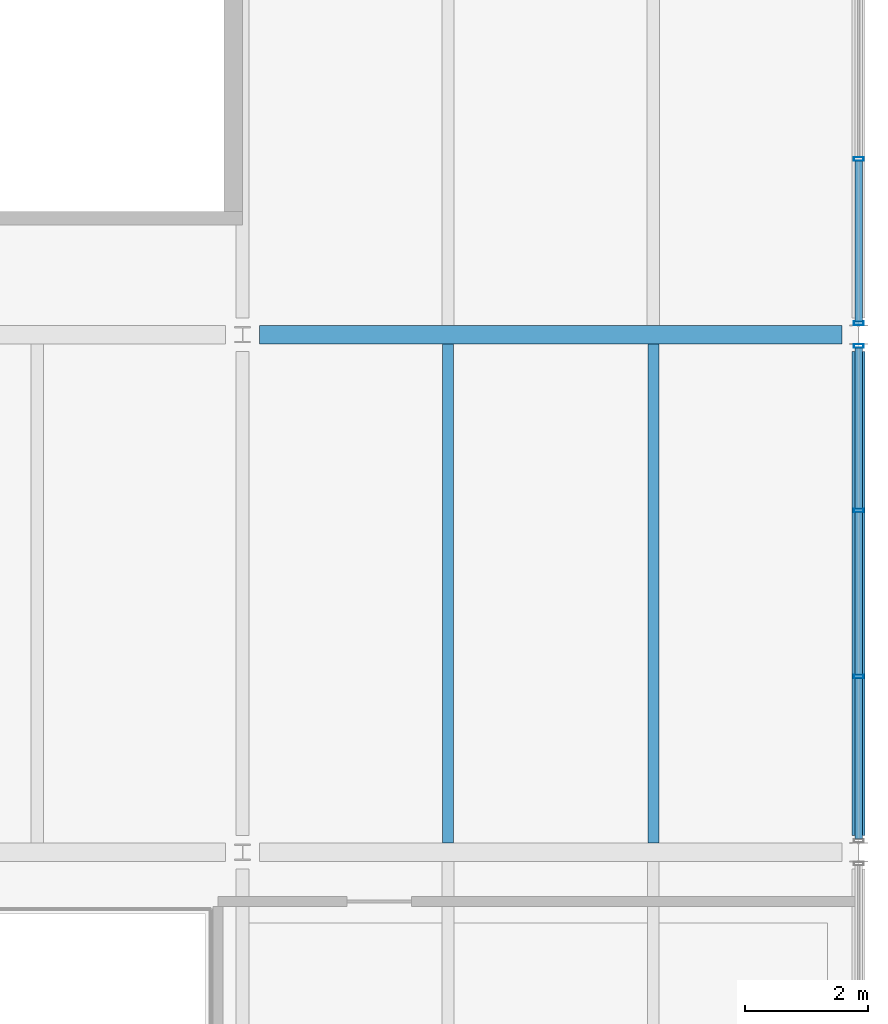
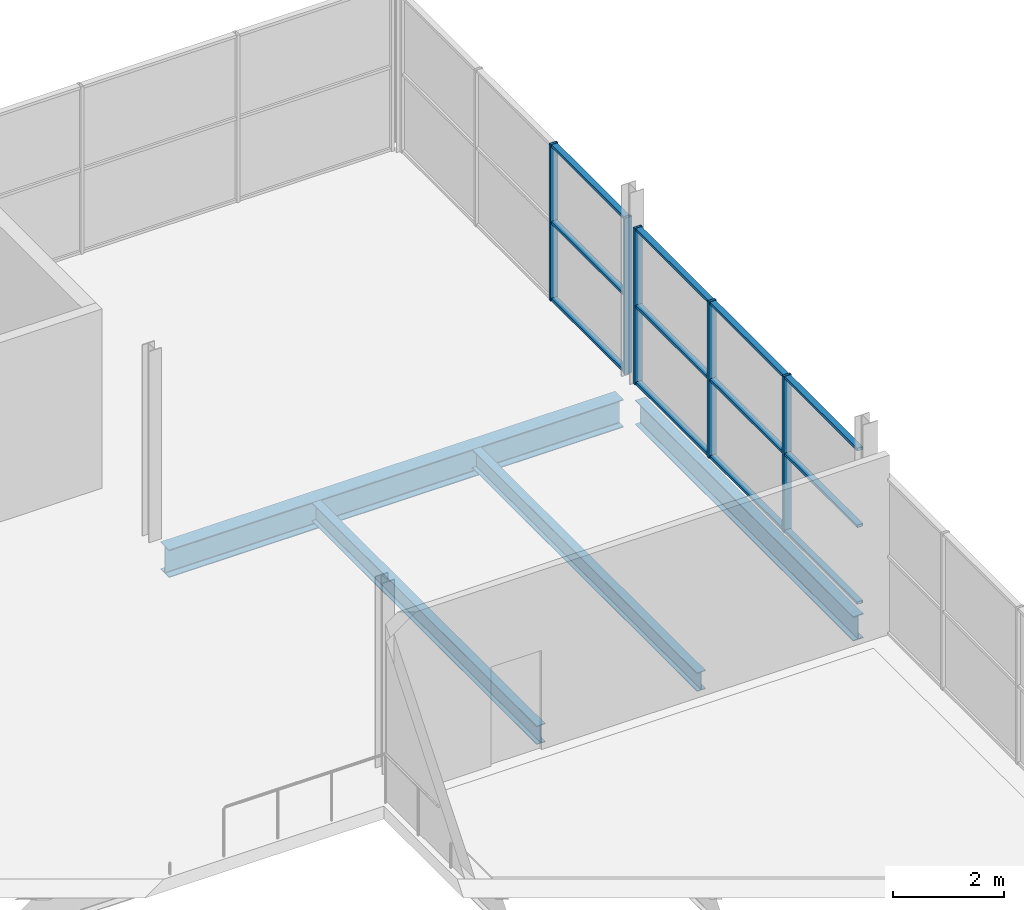
# One storey, part 120 of 161: 17 members, 4 beams, 2 elements without a shape of their own.
"""IFC4 building model written with IfcOpenShell, lengths in metres."""

from ifc_helpers import new_model, si_unit, direction, frame, origin, origin_2d, place, context, subcontext, project, spatial, hollow_rectangle, i_section, extrude, material, material_profile, profile_set, type_object, element, aggregate, save


model = new_model("IFC4")

# Units and contexts
model_context = context("Model", 3, precision=1e-05, world=origin(), true_north=direction((0.0, 1.0)))
body_context = subcontext(model_context, "Body", "Model", "MODEL_VIEW")
ifc_project = project(units=[si_unit("LENGTHUNIT", "METRE"), si_unit("AREAUNIT", "SQUARE_METRE"), si_unit("VOLUMEUNIT", "CUBIC_METRE"), si_unit("PLANEANGLEUNIT", "RADIAN"), si_unit("MASSUNIT", "GRAM", prefix="KILO"), si_unit("THERMODYNAMICTEMPERATUREUNIT", "KELVIN")], contexts=[model_context])

# Site, building, storey
site_placement = place(None, origin())
site = spatial("IfcSite", under=ifc_project, at=site_placement, CompositionType="ELEMENT")
building_placement = place(site_placement, origin())
building = spatial("IfcBuilding", under=site, at=building_placement, Name="Nduvali Passage Aquatics Centre", CompositionType="ELEMENT")
storey_placement = place(building_placement, frame((0.0, 0.0, 4.800048828125)))
storey = spatial("IfcBuildingStorey", under=building, at=storey_placement, Name="L01", CompositionType="ELEMENT", Elevation=4.800048828125)

# Curtain wall, members
ifc_material_1 = material(Name="Aluminium EN AW-6063 T6", Category="aluminium")
curtain_wall_type = type_object("IfcCurtainWallType", Name="ENV-CW-FOYR", PredefinedType="NOTDEFINED", material=ifc_material_1)
curtain_wall_1_placement = place(storey_placement, origin())
curtain_wall_1 = element("IfcCurtainWall", 1, at=curtain_wall_1_placement, inside=storey, type_object=curtain_wall_type, Name="L01 East Avenue Entrance Upper CW 090", PredefinedType="NOTDEFINED")
ifc_material_profile_1 = material_profile(ifc_material_1, hollow_rectangle(XDim=0.06005859375, YDim=0.159912109375, WallThickness=0.00390625, at=origin_2d()), Name="ALU MULLION 60x160x4")
ifc_profile_set_1 = profile_set([ifc_material_profile_1], Name="Aluminium EN AW-6063 T6")
member_type_1 = type_object("IfcMemberType", Name="ENV-MEM-MUL60", PredefinedType="MULLION", material=ifc_profile_set_1)
member_1_placement = place(storey_placement, frame((168.0, 78.45166015625, 0.0), z_axis=(0.0, 0.0, 1.0), x_axis=(0.0, 1.0, 0.0)))
member_1 = element("IfcMember", 2, at=member_1_placement, type_object=member_type_1, Name="East Avenue Entrance Upper CW Mullion 2", PredefinedType="MULLION", context=body_context, shape_type="SweptSolid", body=[
    extrude(hollow_rectangle(XDim=0.06005859375, YDim=0.159912109375, WallThickness=0.00390625, at=origin_2d()), origin(), (0.0, 0.0, 1.0), 3.436279296875),
])
member_2_placement = place(storey_placement, frame((168.0, 81.148193359375, 0.0), z_axis=(0.0, 0.0, 1.0), x_axis=(0.0, 1.0, 0.0)))
member_2 = element("IfcMember", 3, at=member_2_placement, type_object=member_type_1, Name="East Avenue Entrance Upper CW Mullion 3", PredefinedType="MULLION", context=body_context, shape_type="SweptSolid", body=[
    extrude(hollow_rectangle(XDim=0.06005859375, YDim=0.159912109375, WallThickness=0.00390625, at=origin_2d()), origin(), (0.0, 0.0, 1.0), 3.436279296875),
])
member_3_placement = place(storey_placement, frame((168.0, 83.81494140625, 0.0), z_axis=(0.0, 0.0, 1.0), x_axis=(0.0, 1.0, 0.0)))
member_3 = element("IfcMember", 4, at=member_3_placement, type_object=member_type_1, Name="East Avenue Entrance Upper CW Mullion 4", PredefinedType="MULLION", context=body_context, shape_type="SweptSolid", body=[
    extrude(hollow_rectangle(XDim=0.06005859375, YDim=0.159912109375, WallThickness=0.00390625, at=origin_2d()), origin(), (0.0, 0.0, 1.0), 3.436279296875),
])

curtain_wall_2_placement = place(storey_placement, origin())
curtain_wall_2 = element("IfcCurtainWall", 5, at=curtain_wall_2_placement, inside=storey, type_object=curtain_wall_type, Name="L01 East Avenue Entrance End Upper CW 091", PredefinedType="NOTDEFINED")
member_4_placement = place(storey_placement, frame((168.0, 84.18505859375, 0.0), z_axis=(0.0, 0.0, 1.0), x_axis=(0.0, 1.0, 0.0)))
member_4 = element("IfcMember", 6, at=member_4_placement, type_object=member_type_1, Name="East Avenue Entrance End Upper CW Mullion 1", PredefinedType="MULLION", context=body_context, shape_type="SweptSolid", body=[
    extrude(hollow_rectangle(XDim=0.06005859375, YDim=0.159912109375, WallThickness=0.00390625, at=origin_2d()), origin(), (0.0, 0.0, 1.0), 3.436279296875),
])
member_5_placement = place(storey_placement, frame((168.0, 86.851806640625, 0.0), z_axis=(0.0, 0.0, 1.0), x_axis=(0.0, 1.0, 0.0)))
member_5 = element("IfcMember", 7, at=member_5_placement, type_object=member_type_1, Name="East Avenue Entrance End Upper CW Mullion 2", PredefinedType="MULLION", context=body_context, shape_type="SweptSolid", body=[
    extrude(hollow_rectangle(XDim=0.06005859375, YDim=0.159912109375, WallThickness=0.00390625, at=origin_2d()), origin(), (0.0, 0.0, 1.0), 3.436279296875),
])

# Member
ifc_material_profile_2 = material_profile(ifc_material_1, hollow_rectangle(XDim=0.1201171875, YDim=0.06005859375, WallThickness=0.00390625, at=origin_2d()), Name="ALU TRANSOM 120x60x4")
ifc_profile_set_2 = profile_set([ifc_material_profile_2], Name="Aluminium EN AW-6063 T6")
member_type_2 = type_object("IfcMemberType", Name="ENV-MEM-TRN60", PredefinedType="USERDEFINED", material=ifc_profile_set_2)
member_6_placement = place(storey_placement, frame((168.0, 75.81494140625, 0.030029296875), z_axis=(0.0, 1.0, 0.0), x_axis=(-1.0, 0.0, 0.0)))
member_6 = element("IfcMember", 8, at=member_6_placement, type_object=member_type_2, Name="East Avenue Entrance Upper CW Transom B1-R0", ObjectType="TRANSOM", PredefinedType="USERDEFINED", context=body_context, shape_type="SweptSolid", body=[
    extrude(hollow_rectangle(XDim=0.1201171875, YDim=0.06005859375, WallThickness=0.00390625, at=origin_2d()), origin(), (0.0, 0.0, 1.0), 2.606689453125),
])

member_7_placement = place(storey_placement, frame((168.0, 75.81494140625, 1.71826171875), z_axis=(0.0, 1.0, 0.0), x_axis=(-1.0, 0.0, 0.0)))
member_7 = element("IfcMember", 9, at=member_7_placement, type_object=member_type_2, Name="East Avenue Entrance Upper CW Transom B1-R1", ObjectType="TRANSOM", PredefinedType="USERDEFINED", context=body_context, shape_type="SweptSolid", body=[
    extrude(hollow_rectangle(XDim=0.1201171875, YDim=0.06005859375, WallThickness=0.00390625, at=origin_2d()), origin(), (0.0, 0.0, 1.0), 2.606689453125),
])

member_8_placement = place(storey_placement, frame((168.0, 75.81494140625, 3.40625), z_axis=(0.0, 1.0, 0.0), x_axis=(-1.0, 0.0, 0.0)))
member_8 = element("IfcMember", 10, at=member_8_placement, type_object=member_type_2, Name="East Avenue Entrance Upper CW Transom B1-R2", ObjectType="TRANSOM", PredefinedType="USERDEFINED", context=body_context, shape_type="SweptSolid", body=[
    extrude(hollow_rectangle(XDim=0.1201171875, YDim=0.06005859375, WallThickness=0.00390625, at=origin_2d()), origin(), (0.0, 0.0, 1.0), 2.606689453125),
])

member_9_placement = place(storey_placement, frame((168.0, 78.481689453125, 0.030029296875), z_axis=(0.0, 1.0, 0.0), x_axis=(-1.0, 0.0, 0.0)))
member_9 = element("IfcMember", 11, at=member_9_placement, type_object=member_type_2, Name="East Avenue Entrance Upper CW Transom B2-R0", ObjectType="TRANSOM", PredefinedType="USERDEFINED", context=body_context, shape_type="SweptSolid", body=[
    extrude(hollow_rectangle(XDim=0.1201171875, YDim=0.06005859375, WallThickness=0.00390625, at=origin_2d()), origin(), (0.0, 0.0, 1.0), 2.63671875),
])

member_10_placement = place(storey_placement, frame((168.0, 78.481689453125, 1.71826171875), z_axis=(0.0, 1.0, 0.0), x_axis=(-1.0, 0.0, 0.0)))
member_10 = element("IfcMember", 12, at=member_10_placement, type_object=member_type_2, Name="East Avenue Entrance Upper CW Transom B2-R1", ObjectType="TRANSOM", PredefinedType="USERDEFINED", context=body_context, shape_type="SweptSolid", body=[
    extrude(hollow_rectangle(XDim=0.1201171875, YDim=0.06005859375, WallThickness=0.00390625, at=origin_2d()), origin(), (0.0, 0.0, 1.0), 2.63671875),
])

member_11_placement = place(storey_placement, frame((168.0, 78.481689453125, 3.40625), z_axis=(0.0, 1.0, 0.0), x_axis=(-1.0, 0.0, 0.0)))
member_11 = element("IfcMember", 13, at=member_11_placement, type_object=member_type_2, Name="East Avenue Entrance Upper CW Transom B2-R2", ObjectType="TRANSOM", PredefinedType="USERDEFINED", context=body_context, shape_type="SweptSolid", body=[
    extrude(hollow_rectangle(XDim=0.1201171875, YDim=0.06005859375, WallThickness=0.00390625, at=origin_2d()), origin(), (0.0, 0.0, 1.0), 2.63671875),
])

member_12_placement = place(storey_placement, frame((168.0, 81.17822265625, 0.030029296875), z_axis=(0.0, 1.0, 0.0), x_axis=(-1.0, 0.0, 0.0)))
member_12 = element("IfcMember", 14, at=member_12_placement, type_object=member_type_2, Name="East Avenue Entrance Upper CW Transom B3-R0", ObjectType="TRANSOM", PredefinedType="USERDEFINED", context=body_context, shape_type="SweptSolid", body=[
    extrude(hollow_rectangle(XDim=0.1201171875, YDim=0.06005859375, WallThickness=0.00390625, at=origin_2d()), origin(), (0.0, 0.0, 1.0), 2.606689453125),
])

member_13_placement = place(storey_placement, frame((168.0, 81.17822265625, 1.71826171875), z_axis=(0.0, 1.0, 0.0), x_axis=(-1.0, 0.0, 0.0)))
member_13 = element("IfcMember", 15, at=member_13_placement, type_object=member_type_2, Name="East Avenue Entrance Upper CW Transom B3-R1", ObjectType="TRANSOM", PredefinedType="USERDEFINED", context=body_context, shape_type="SweptSolid", body=[
    extrude(hollow_rectangle(XDim=0.1201171875, YDim=0.06005859375, WallThickness=0.00390625, at=origin_2d()), origin(), (0.0, 0.0, 1.0), 2.606689453125),
])

member_14_placement = place(storey_placement, frame((168.0, 81.17822265625, 3.40625), z_axis=(0.0, 1.0, 0.0), x_axis=(-1.0, 0.0, 0.0)))
member_14 = element("IfcMember", 16, at=member_14_placement, type_object=member_type_2, Name="East Avenue Entrance Upper CW Transom B3-R2", ObjectType="TRANSOM", PredefinedType="USERDEFINED", context=body_context, shape_type="SweptSolid", body=[
    extrude(hollow_rectangle(XDim=0.1201171875, YDim=0.06005859375, WallThickness=0.00390625, at=origin_2d()), origin(), (0.0, 0.0, 1.0), 2.606689453125),
])

aggregate(curtain_wall_1, [member_1, member_2, member_3, member_6, member_7, member_8, member_9, member_10, member_11, member_12, member_13, member_14])

member_15_placement = place(storey_placement, frame((168.0, 84.215087890625, 0.030029296875), z_axis=(0.0, 1.0, 0.0), x_axis=(-1.0, 0.0, 0.0)))
member_15 = element("IfcMember", 17, at=member_15_placement, type_object=member_type_2, Name="East Avenue Entrance End Upper CW Transom B1-R0", ObjectType="TRANSOM", PredefinedType="USERDEFINED", context=body_context, shape_type="SweptSolid", body=[
    extrude(hollow_rectangle(XDim=0.1201171875, YDim=0.06005859375, WallThickness=0.00390625, at=origin_2d()), origin(), (0.0, 0.0, 1.0), 2.606689453125),
])

member_16_placement = place(storey_placement, frame((168.0, 84.215087890625, 1.71826171875), z_axis=(0.0, 1.0, 0.0), x_axis=(-1.0, 0.0, 0.0)))
member_16 = element("IfcMember", 18, at=member_16_placement, type_object=member_type_2, Name="East Avenue Entrance End Upper CW Transom B1-R1", ObjectType="TRANSOM", PredefinedType="USERDEFINED", context=body_context, shape_type="SweptSolid", body=[
    extrude(hollow_rectangle(XDim=0.1201171875, YDim=0.06005859375, WallThickness=0.00390625, at=origin_2d()), origin(), (0.0, 0.0, 1.0), 2.606689453125),
])

member_17_placement = place(storey_placement, frame((168.0, 84.215087890625, 3.40625), z_axis=(0.0, 1.0, 0.0), x_axis=(-1.0, 0.0, 0.0)))
member_17 = element("IfcMember", 19, at=member_17_placement, type_object=member_type_2, Name="East Avenue Entrance End Upper CW Transom B1-R2", ObjectType="TRANSOM", PredefinedType="USERDEFINED", context=body_context, shape_type="SweptSolid", body=[
    extrude(hollow_rectangle(XDim=0.1201171875, YDim=0.06005859375, WallThickness=0.00390625, at=origin_2d()), origin(), (0.0, 0.0, 1.0), 2.606689453125),
])

aggregate(curtain_wall_2, [member_4, member_5, member_15, member_16, member_17])

# Beams
ifc_material_2 = material(Name="Steel S355", Category="steel")
ifc_material_profile_3 = material_profile(ifc_material_2, i_section(OverallWidth=0.210693359375, OverallDepth=0.53955078125, WebThickness=0.01171875, FlangeThickness=0.018798828125, FilletRadius=0.0126953125, at=origin_2d()), Name="UKB 533x210x109")
ifc_profile_set_3 = profile_set([ifc_material_profile_3], Name="Steel S355")
beam_type_1 = type_object("IfcBeamType", Name="STR-BM-UKB533-EXT", PredefinedType="BEAM", material=ifc_profile_set_3)
beam_1_placement = place(storey_placement, frame((168.0, 75.875, -0.553955078125), z_axis=(0.0, 1.0, 0.0), x_axis=(-1.0, 0.0, 0.0)))
element("IfcBeam", 20, at=beam_1_placement, inside=storey, type_object=beam_type_1, Name="L01 Primary Y-Girder B6E-0688", PredefinedType="BEAM", context=body_context, shape_type="SweptSolid", body=[
    extrude(i_section(OverallWidth=0.210693359375, OverallDepth=0.53955078125, WebThickness=0.01171875, FlangeThickness=0.018798828125, FilletRadius=0.0126953125, at=origin_2d()), origin(), (0.0, 0.0, 1.0), 7.85009765625),
])
ifc_material_profile_4 = material_profile(ifc_material_2, i_section(OverallWidth=0.3046875, OverallDepth=0.6123046875, WebThickness=0.01171875, FlangeThickness=0.019775390625, FilletRadius=0.0166015625, at=origin_2d()), Name="UKB 610x305x149")
ifc_profile_set_4 = profile_set([ifc_material_profile_4], Name="Steel S355")
beam_type_2 = type_object("IfcBeamType", Name="STR-BM-UKB610W", PredefinedType="BEAM", material=ifc_profile_set_4)
beam_2_placement = place(storey_placement, frame((158.27490234375, 84.0, -0.59033203125), z_axis=(1.0, 0.0, 0.0), x_axis=(0.0, 1.0, 0.0)))
element("IfcBeam", 21, at=beam_2_placement, inside=storey, type_object=beam_type_2, Name="L01 Primary X-Girder B5A-0523", PredefinedType="BEAM", context=body_context, shape_type="SweptSolid", body=[
    extrude(i_section(OverallWidth=0.3046875, OverallDepth=0.6123046875, WebThickness=0.01171875, FlangeThickness=0.019775390625, FilletRadius=0.0166015625, at=origin_2d()), origin(), (0.0, 0.0, 1.0), 9.4501953125),
])
ifc_material_profile_5 = material_profile(ifc_material_2, i_section(OverallWidth=0.1787109375, OverallDepth=0.409423828125, WebThickness=0.0087890625, FlangeThickness=0.014404296875, FilletRadius=0.01025390625, at=origin_2d()), Name="UKB 406x178x67")
ifc_profile_set_5 = profile_set([ifc_material_profile_5], Name="Steel S355")
beam_type_3 = type_object("IfcBeamType", Name="STR-JST-UKB406", PredefinedType="JOIST", material=ifc_profile_set_5)
for number, where, z_axis, x_axis, name in (
    (22, (161.333251953125, 75.75244140625, -0.48876953125), (0.0, 1.0, 0.0), (-1.0, 0.0, 0.0), "L01 Secondary Joist J1-0795"),
    (23, (164.666748046875, 75.75244140625, -0.48876953125), (0.0, 1.0, 0.0), (-1.0, 0.0, 0.0), "L01 Secondary Joist J1-0796"),
):
    element("IfcBeam", number, at=place(storey_placement, frame(where, z_axis=z_axis, x_axis=x_axis)), inside=storey, type_object=beam_type_3, Name=name, PredefinedType="JOIST", context=body_context, shape_type="SweptSolid", body=[
        extrude(i_section(OverallWidth=0.1787109375, OverallDepth=0.409423828125, WebThickness=0.0087890625, FlangeThickness=0.014404296875, FilletRadius=0.01025390625, at=origin_2d()), origin(), (0.0, 0.0, 1.0), 8.09521484375),
    ])

save(model, "model.ifc")
